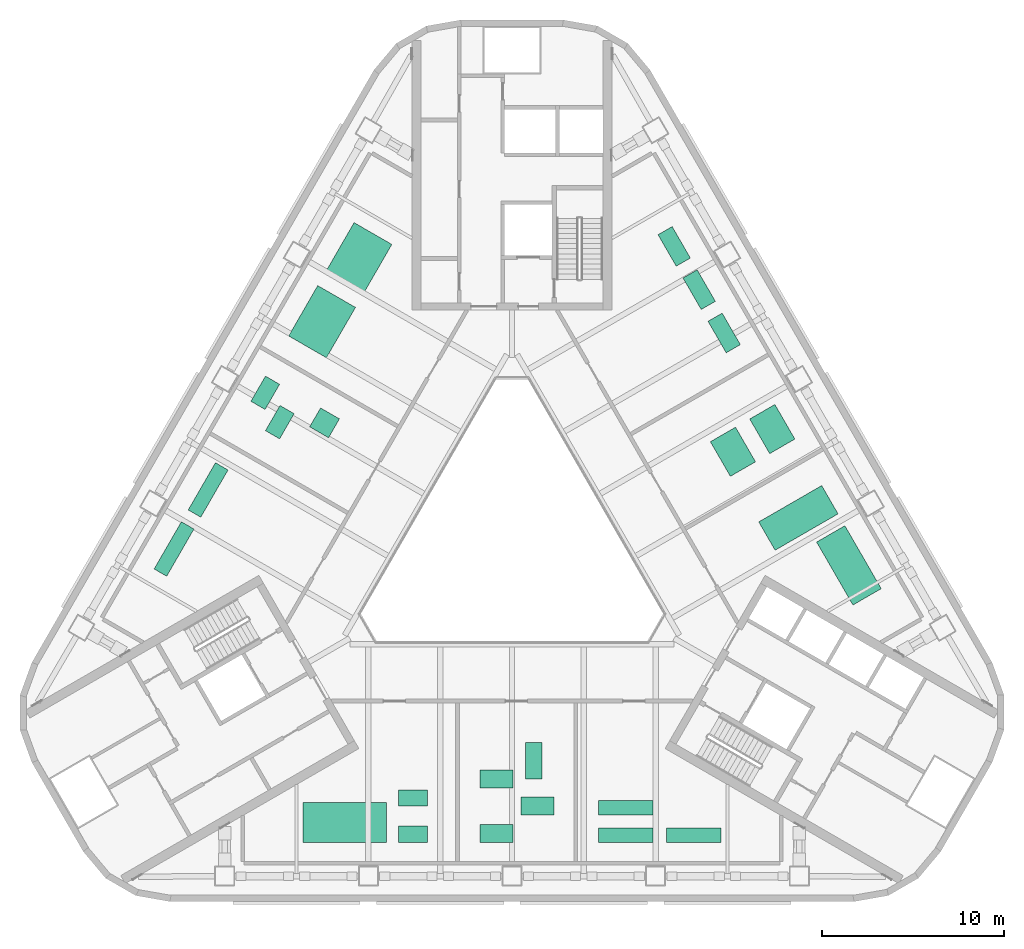
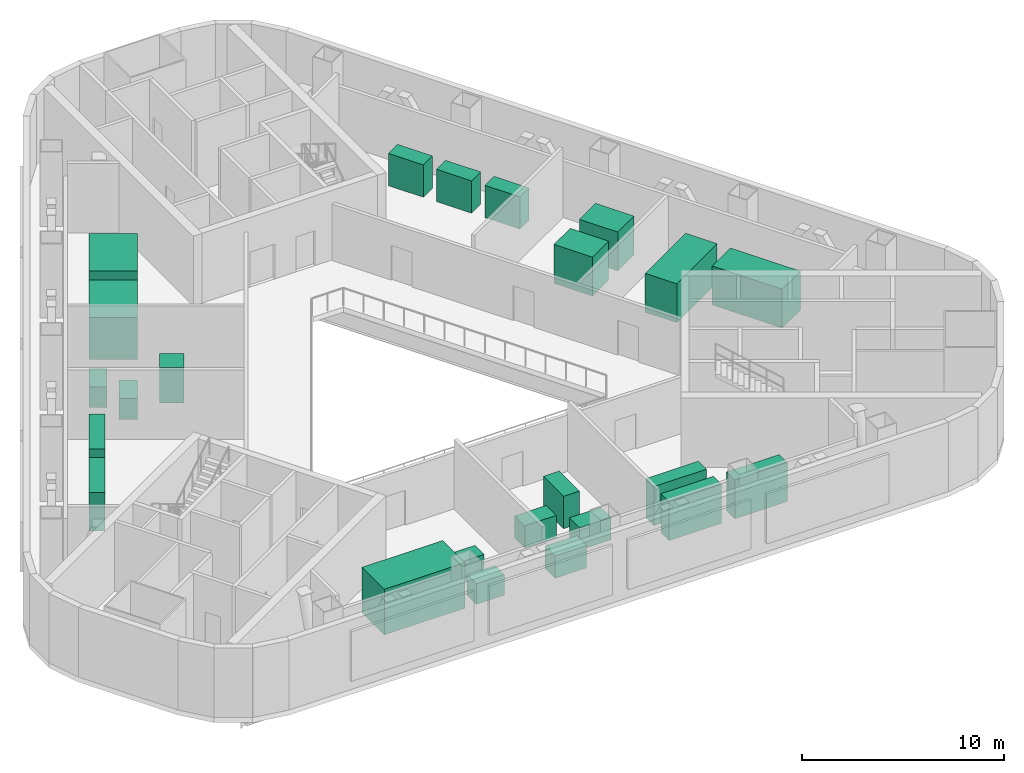
# One storey, part 15 of 15: 7 pumps, 5 electric distribution boards, 4 heat exchangers, 3 tanks, 2 transformers, 2 unitary equipment elements, 1 chiller.
"""IFC4 building model written with IfcOpenShell, lengths in metres."""

from ifc_helpers import new_model, si_unit, direction, frame, origin, origin_2d, place, context, subcontext, project, spatial, rectangle, extrude, material, type_object, element, save


model = new_model("IFC4")

# Units and contexts
model_context = context("Model", 3, precision=1e-05, world=origin(), true_north=direction((0.0, 1.0)))
body_context = subcontext(model_context, "Body", "Model", "MODEL_VIEW")
ifc_project = project(units=[si_unit("LENGTHUNIT", "METRE"), si_unit("AREAUNIT", "SQUARE_METRE"), si_unit("VOLUMEUNIT", "CUBIC_METRE"), si_unit("PLANEANGLEUNIT", "RADIAN"), si_unit("MASSUNIT", "GRAM", prefix="KILO")], contexts=[model_context])

# Site, building, storey
site_placement = place(None, origin())
site = spatial("IfcSite", under=ifc_project, at=site_placement, CompositionType="ELEMENT")
building_placement = place(site_placement, origin())
building = spatial("IfcBuilding", under=site, at=building_placement, Name="Apuvela Tower Hotel", CompositionType="ELEMENT")
storey_placement = place(building_placement, frame((0.0, 0.0, 37.5)))
storey = spatial("IfcBuildingStorey", under=building, at=storey_placement, Name="L06 Plant", CompositionType="ELEMENT", Elevation=37.5)

# Unitary equipment
ifc_material = material(Name="Painted sheet metal casing")
unitary_equipment_type = type_object("IfcUnitaryEquipmentType", Name="SPC-EQ-Air handling unit", PredefinedType="AIRHANDLER", material=ifc_material)
unitary_equipment_1_placement = place(storey_placement, frame((18.531005859375, -1.13671875, 0.0), z_axis=(0.0, 0.0, 1.0), x_axis=(-0.5, 0.866025403784, 0.0)))
element("IfcUnitaryEquipment", 1, at=unitary_equipment_1_placement, inside=storey, type_object=unitary_equipment_type, Name="Air handling unit L06-NE1.1", PredefinedType="AIRHANDLER", context=body_context, shape_type="SweptSolid", body=[
    extrude(rectangle(XDim=4.0, YDim=1.800048828125, at=origin_2d()), origin(), (0.0, 0.0, 1.0), 2.35009765625),
])
unitary_equipment_2_placement = place(storey_placement, frame((15.75341796875, 1.47412109375, 0.0), z_axis=(0.0, 0.0, 1.0), x_axis=(-0.5, 0.866025403784, 0.0)))
element("IfcUnitaryEquipment", 2, at=unitary_equipment_2_placement, inside=storey, type_object=unitary_equipment_type, Name="Air handling unit L06-NE1.2", PredefinedType="AIRHANDLER", context=body_context, shape_type="SweptSolid", body=[
    extrude(rectangle(XDim=1.800048828125, YDim=4.0, at=origin_2d()), origin(), (0.0, 0.0, 1.0), 2.35009765625),
])

# Pumps
pump_type_1 = type_object("IfcPumpType", Name="SPC-EQ-Chilled water pump", PredefinedType="CIRCULATOR", material=ifc_material)
for number, where, z_axis, x_axis, name in (
    (3, (-5.449951171875, -15.929931640625, 0.0), (0.0, 0.0, 1.0), (1.0, 0.0, 0.0), "Chilled water pump L06-S1.2"),
    (4, (-5.449951171875, -13.929931640625, 0.0), (0.0, 0.0, 1.0), (1.0, 0.0, 0.0), "Chilled water pump L06-S1.3"),
    (5, (-13.57080078125, 8.354736328125, 0.0), (0.0, 0.0, 1.0), (-0.5, -0.866025403784, 0.0), "Chilled water pump L06-NW2.1"),
    (6, (-12.771728515625, 6.73876953125, 0.0), (0.0, 0.0, 1.0), (-0.5, -0.866025403784, 0.0), "Chilled water pump L06-NW2.2"),
):
    element("IfcPump", number, at=place(storey_placement, frame(where, z_axis=z_axis, x_axis=x_axis)), inside=storey, type_object=pump_type_1, Name=name, PredefinedType="CIRCULATOR", context=body_context, shape_type="SweptSolid", body=[
        extrude(rectangle(XDim=1.60009765625, YDim=0.89990234375, at=origin_2d()), origin(), (0.0, 0.0, 1.0), 1.25),
    ])

# Chiller
chiller_type = type_object("IfcChillerType", Name="SPC-EQ-Chiller", PredefinedType="WATERCOOLED", material=ifc_material)
chiller_placement = place(storey_placement, frame((-9.199951171875, -15.280029296875, 0.0), z_axis=(0.0, 0.0, 1.0), x_axis=(1.0, 0.0, 0.0)))
element("IfcChiller", 7, at=chiller_placement, inside=storey, type_object=chiller_type, Name="Chiller L06-S1.1", PredefinedType="WATERCOOLED", context=body_context, shape_type="SweptSolid", body=[
    extrude(rectangle(XDim=4.60009765625, YDim=2.199951171875, at=origin_2d()), origin(), (0.0, 0.0, 1.0), 2.75),
])

# Pumps
pump_type_2 = type_object("IfcPumpType", Name="SPC-EQ-Condenser water pump", PredefinedType="CIRCULATOR", material=ifc_material)
for number, where, z_axis, x_axis, name in (
    (8, (-0.85009765625, -15.8798828125, 0.0), (0.0, 0.0, 1.0), (1.0, 0.0, 0.0), "Condenser water pump L06-S2.1"),
    (9, (1.39990234375, -14.3798828125, 0.0), (0.0, 0.0, 1.0), (1.0, 0.0, 0.0), "Condenser water pump L06-S2.2"),
    (10, (-0.85009765625, -12.8798828125, 0.0), (0.0, 0.0, 1.0), (1.0, 0.0, 0.0), "Condenser water pump L06-S2.3"),
):
    element("IfcPump", number, at=place(storey_placement, frame(where, z_axis=z_axis, x_axis=x_axis)), inside=storey, type_object=pump_type_2, Name=name, PredefinedType="CIRCULATOR", context=body_context, shape_type="SweptSolid", body=[
        extrude(rectangle(XDim=1.800048828125, YDim=1.0, at=origin_2d()), origin(), (0.0, 0.0, 1.0), 1.35009765625),
    ])

# Heat exchangers
heat_exchanger_type = type_object("IfcHeatExchangerType", Name="SPC-EQ-Heat exchanger", PredefinedType="PLATE", material=ifc_material)
heat_exchanger_placement = place(storey_placement, frame((1.199951171875, -11.8798828125, 0.0), z_axis=(0.0, 0.0, 1.0), x_axis=(1.0, 0.0, 0.0)))
element("IfcHeatExchanger", 11, at=heat_exchanger_placement, inside=storey, type_object=heat_exchanger_type, Name="Heat exchanger L06-S2.4", PredefinedType="PLATE", context=body_context, shape_type="SweptSolid", body=[
    extrude(rectangle(XDim=0.89990234375, YDim=2.0, at=origin_2d()), origin(), (0.0, 0.0, 1.0), 1.949951171875),
])
for number, where, z_axis, x_axis, name in (
    (12, (11.6708984375, 11.6455078125, 0.0), (0.0, 0.0, 1.0), (-0.5, 0.866025403784, 0.0), "Heat exchanger L06-NE3.1"),
    (13, (10.2958984375, 14.027099609375, 0.0), (0.0, 0.0, 1.0), (-0.5, 0.866025403784, 0.0), "Heat exchanger L06-NE3.2"),
    (14, (8.9208984375, 16.40869140625, 0.0), (0.0, 0.0, 1.0), (-0.5, 0.866025403784, 0.0), "Heat exchanger L06-NE3.3"),
):
    element("IfcHeatExchanger", number, at=place(storey_placement, frame(where, z_axis=z_axis, x_axis=x_axis)), inside=storey, type_object=heat_exchanger_type, Name=name, PredefinedType="PLATE", context=body_context, shape_type="SweptSolid", body=[
        extrude(rectangle(XDim=2.0, YDim=0.89990234375, at=origin_2d()), origin(), (0.0, 0.0, 1.0), 1.949951171875),
    ])

# Tank
tank_type_1 = type_object("IfcTankType", Name="SPC-EQ-Pressure vessel", PredefinedType="PRESSUREVESSEL", material=ifc_material)
tank_placement = place(storey_placement, frame((-10.309814453125, 6.702880859375, 0.0), z_axis=(0.0, 0.0, 1.0), x_axis=(-0.5, -0.866025403784, 0.0)))
element("IfcTank", 15, at=tank_placement, inside=storey, type_object=tank_type_1, Name="Pressure vessel L06-NW2.3", PredefinedType="PRESSUREVESSEL", context=body_context, shape_type="SweptSolid", body=[
    extrude(rectangle(XDim=1.199951171875, YDim=1.199951171875, at=origin_2d()), origin(), (0.0, 0.0, 1.0), 2.14990234375),
])

# Electric distribution boards
electric_distribution_board_type = type_object("IfcElectricDistributionBoardType", Name="SPC-EQ-Switchboard", PredefinedType="SWITCHBOARD", material=ifc_material)
for number, where, z_axis, x_axis, name in (
    (16, (6.25, -15.97998046875, 0.0), (0.0, 0.0, 1.0), (1.0, 0.0, 0.0), "Switchboard L06-S3.1"),
    (17, (10.0, -15.97998046875, 0.0), (0.0, 0.0, 1.0), (1.0, 0.0, 0.0), "Switchboard L06-S3.2"),
    (18, (6.25, -14.47998046875, 0.0), (0.0, 0.0, 1.0), (1.0, 0.0, 0.0), "Switchboard L06-S3.3"),
    (19, (-16.714111328125, 3.010498046875, 0.0), (0.0, 0.0, 1.0), (-0.5, -0.866025403784, 0.0), "Switchboard L06-NW3.1"),
    (20, (-18.589111328125, -0.2373046875, 0.0), (0.0, 0.0, 1.0), (-0.5, -0.866025403784, 0.0), "Switchboard L06-NW3.2"),
):
    element("IfcElectricDistributionBoard", number, at=place(storey_placement, frame(where, z_axis=z_axis, x_axis=x_axis)), inside=storey, type_object=electric_distribution_board_type, Name=name, PredefinedType="SWITCHBOARD", context=body_context, shape_type="SweptSolid", body=[
        extrude(rectangle(XDim=3.0, YDim=0.800048828125, at=origin_2d()), origin(), (0.0, 0.0, 1.0), 2.35009765625),
    ])

# Transformers
transformer_type = type_object("IfcTransformerType", Name="SPC-EQ-Transformer", PredefinedType="VOLTAGE", material=ifc_material)
for number, where, z_axis, x_axis, name in (
    (21, (14.317626953125, 6.361083984375, 0.0), (0.0, 0.0, 1.0), (-0.5, 0.866025403784, 0.0), "Transformer L06-NE2.1"),
    (22, (12.152587890625, 5.111083984375, 0.0), (0.0, 0.0, 1.0), (-0.5, 0.866025403784, 0.0), "Transformer L06-NE2.2"),
):
    element("IfcTransformer", number, at=place(storey_placement, frame(where, z_axis=z_axis, x_axis=x_axis)), inside=storey, type_object=transformer_type, Name=name, PredefinedType="VOLTAGE", context=body_context, shape_type="SweptSolid", body=[
        extrude(rectangle(XDim=2.199951171875, YDim=1.60009765625, at=origin_2d()), origin(), (0.0, 0.0, 1.0), 2.35009765625),
    ])

# Tanks
tank_type_2 = type_object("IfcTankType", Name="SPC-EQ-Water storage tank", PredefinedType="STORAGE", material=ifc_material)
for number, where, z_axis, x_axis, name in (
    (23, (-8.4462890625, 15.730712890625, 0.0), (0.0, 0.0, 1.0), (-0.5, -0.866025403784, 0.0), "Water storage tank L06-NW1.1"),
    (24, (-10.4462890625, 12.2666015625, 0.0), (0.0, 0.0, 1.0), (-0.5, -0.866025403784, 0.0), "Water storage tank L06-NW1.2"),
):
    element("IfcTank", number, at=place(storey_placement, frame(where, z_axis=z_axis, x_axis=x_axis)), inside=storey, type_object=tank_type_2, Name=name, PredefinedType="STORAGE", context=body_context, shape_type="SweptSolid", body=[
        extrude(rectangle(XDim=3.199951171875, YDim=2.39990234375, at=origin_2d()), origin(), (0.0, 0.0, 1.0), 2.550048828125),
    ])

save(model, "model.ifc")
